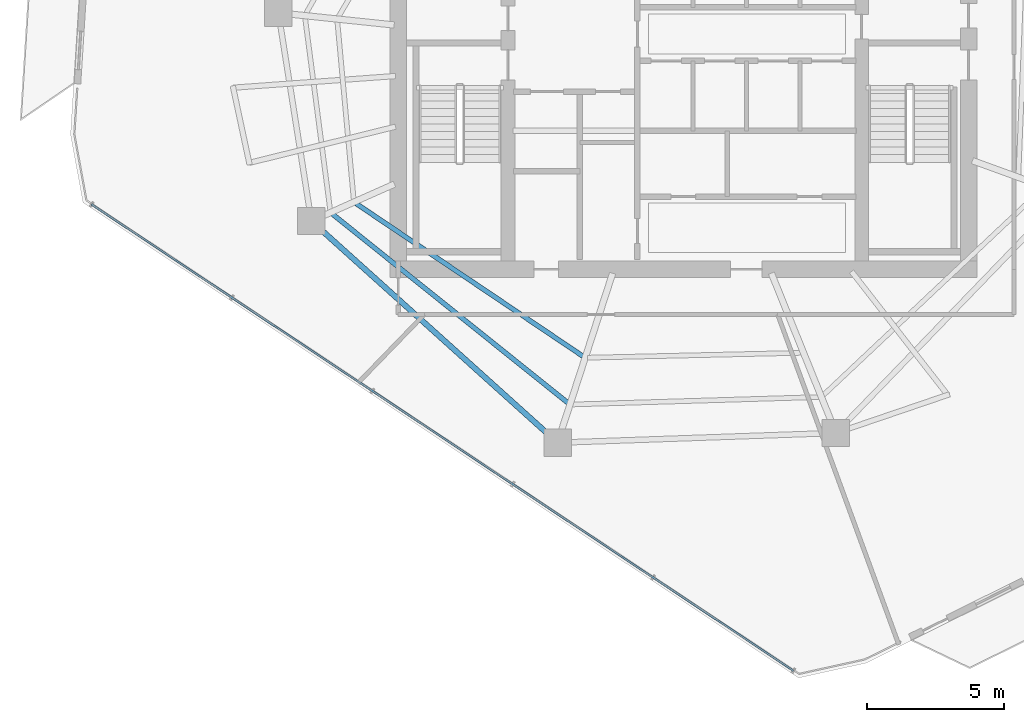
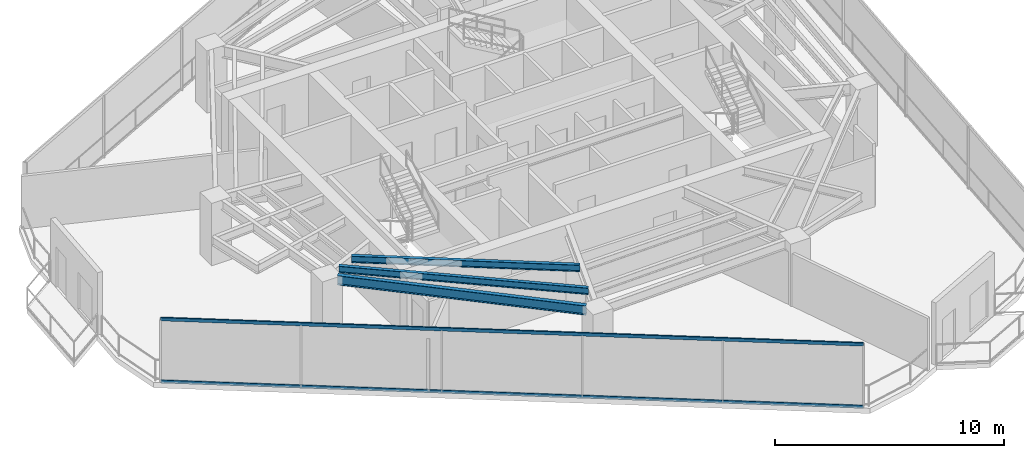
# One storey, part 3 of 21: 3 beams, 2 members, 1 element without a shape of its own.
"""IFC4 building model written with IfcOpenShell, lengths in metres."""

import ifcopenshell
import ifcopenshell.guid

model = None  # the IFC model being written
_history = None  # IfcOwnerHistory: only IFC2X3 demands one
_inside = {}  # id of a spatial element -> (the spatial element, [elements in it])
_under = {}  # id of a project, library or spatial element -> (it, [spatial elements below it])
_declared = {}  # id of a project -> (the project, [libraries it declares])
_typed = {}  # id of a type object -> (the type object, [elements of that type])
_made_of = {}  # id of a material, layer set ... -> (it, [elements and type objects made of it])


def new_model(schema):
    """Start an empty IFC model of exactly this schema.

    Asked for "IFC4X3", IfcOpenShell would pick the latest addendum, in which some entities
    have other attributes; the version numbers below select the first issue.
    IFC2X3 requires an IfcOwnerHistory on every rooted entity: one is made here for all.
    """
    global model, _history
    if schema == "IFC4X3":
        model = ifcopenshell.file(schema_version=(4, 3, 0, 0))
    else:
        model = ifcopenshell.file(schema=schema)
    _inside.clear()
    _under.clear()
    _declared.clear()
    _typed.clear()
    _made_of.clear()
    _history = None
    if model.schema == "IFC2X3":
        org = make("IfcOrganization", Name="unknown")
        user = make(
            "IfcPersonAndOrganization",
            ThePerson=make("IfcPerson", FamilyName="unknown"),
            TheOrganization=org,
        )
        app = make(
            "IfcApplication",
            ApplicationDeveloper=org,
            Version="unknown",
            ApplicationFullName="unknown",
            ApplicationIdentifier="unknown",
        )
        _history = make(
            "IfcOwnerHistory",
            OwningUser=user,
            OwningApplication=app,
            ChangeAction="ADDED",
            CreationDate=0,
        )
    return model


def make(cls, **values):
    """One entity of the class cls with the attributes given. An attribute that is None is left unset."""
    return model.create_entity(
        cls, **{name: value for name, value in values.items() if value is not None}
    )


def rooted(cls, **values):
    """An entity with a GlobalId (a new one), such as an element, a storey or a relation."""
    return make(cls, GlobalId=ifcopenshell.guid.new(), OwnerHistory=_history, **values)


def si_unit(unit_type, name, prefix=None):
    """IfcSIUnit, for example si_unit("LENGTHUNIT", "METRE", prefix="MILLI")."""
    return make("IfcSIUnit", UnitType=unit_type, Prefix=prefix, Name=name)


def assignment(units):
    """IfcUnitAssignment: the units of a project."""
    return None if units is None else make("IfcUnitAssignment", Units=units)


def point(xyz):
    """IfcCartesianPoint."""
    return None if xyz is None else make("IfcCartesianPoint", Coordinates=xyz)


def direction(xyz):
    """IfcDirection."""
    return None if xyz is None else make("IfcDirection", DirectionRatios=xyz)


def frame(location, z_axis=None, x_axis=None):
    """IfcAxis2Placement3D, a coordinate frame: its origin and axes. An axis left out is left unset."""
    return make(
        "IfcAxis2Placement3D",
        Location=point(location),
        Axis=direction(z_axis),
        RefDirection=direction(x_axis),
    )


def frame_2d(location, x_axis=None):
    """IfcAxis2Placement2D, a coordinate frame in the plane: its origin and x axis."""
    return make(
        "IfcAxis2Placement2D", Location=point(location), RefDirection=direction(x_axis)
    )


def origin():
    """The frame at (0, 0, 0) with its axes left unset."""
    return frame((0.0, 0.0, 0.0))


def origin_2d():
    """The frame at (0, 0) in the plane with its x axis left unset."""
    return frame_2d((0.0, 0.0))


def place(relative_to, where):
    """IfcLocalPlacement: puts the frame where relative to a parent placement (None: the world)."""
    return make(
        "IfcLocalPlacement", PlacementRelTo=relative_to, RelativePlacement=where
    )


def context(
    kind, dimensions, precision=None, world=None, true_north=None, identifier=None
):
    """IfcGeometricRepresentationContext, for example the 3D "Model" context."""
    return make(
        "IfcGeometricRepresentationContext",
        ContextIdentifier=identifier,
        ContextType=kind,
        CoordinateSpaceDimension=dimensions,
        Precision=precision,
        WorldCoordinateSystem=world,
        TrueNorth=true_north,
    )


def subcontext(parent, identifier, kind, view, scale=None):
    """IfcGeometricRepresentationSubContext, for example "Body" below "Model"."""
    return make(
        "IfcGeometricRepresentationSubContext",
        ContextIdentifier=identifier,
        ContextType=kind,
        ParentContext=parent,
        TargetScale=scale,
        TargetView=view,
    )


def project(units=None, contexts=None):
    """IfcProject with its units and contexts."""
    return rooted(
        "IfcProject",
        Name="project",
        RepresentationContexts=contexts,
        UnitsInContext=assignment(units),
    )


def spatial(cls, under=None, at=None, **own):
    """A site, building, storey or space (cls), placed at a placement, below another one or the project."""
    s = rooted(cls, ObjectPlacement=at, **own)
    if under is not None:
        _under.setdefault(under.id(), (under, []))[1].append(s)
    return s


def profile(cls, at=None, kind="AREA", **sizes):
    """A parametric profile (cls). Its sizes go by their IFC names, for example OverallWidth=200.0."""
    return make(cls, ProfileType=kind, Position=at, **sizes)


def hollow_rectangle(**sizes):
    """IfcRectangleHollowProfileDef."""
    return profile("IfcRectangleHollowProfileDef", **sizes)


def i_section(**sizes):
    """IfcIShapeProfileDef."""
    return profile("IfcIShapeProfileDef", **sizes)


def extrude(swept, where, along, depth):
    """IfcExtrudedAreaSolid: the profile swept, set in the frame where, extruded along a direction by depth."""
    return make(
        "IfcExtrudedAreaSolid",
        SweptArea=swept,
        Position=where,
        ExtrudedDirection=direction(along),
        Depth=depth,
    )


def shape(context_of_items, identifier, shape_type, items):
    """IfcShapeRepresentation: the items that make up one representation, for example the "Body"."""
    return make(
        "IfcShapeRepresentation",
        ContextOfItems=context_of_items,
        RepresentationIdentifier=identifier,
        RepresentationType=shape_type,
        Items=items,
    )


def material(Name=None, Category=None):
    """IfcMaterial."""
    return make("IfcMaterial", Name=Name, Category=Category)


def layer(
    of_material, thickness, ventilated=None, Name=None, Category=None, Priority=None
):
    """IfcMaterialLayer: one layer of a wall or slab, of a material (None: an air gap)."""
    return make(
        "IfcMaterialLayer",
        Material=of_material,
        LayerThickness=thickness,
        IsVentilated=ventilated,
        Name=Name,
        Category=Category,
        Priority=Priority,
    )


def layer_set(layers, Name=None):
    """IfcMaterialLayerSet."""
    return make("IfcMaterialLayerSet", MaterialLayers=layers, LayerSetName=Name)


def material_profile(
    of_material, cross_section, Name=None, Category=None, Priority=None
):
    """IfcMaterialProfile: a cross section and its material."""
    return make(
        "IfcMaterialProfile",
        Name=Name,
        Material=of_material,
        Profile=cross_section,
        Priority=Priority,
        Category=Category,
    )


def profile_set(profiles, Name=None, composite=None):
    """IfcMaterialProfileSet."""
    return make(
        "IfcMaterialProfileSet",
        Name=Name,
        MaterialProfiles=profiles,
        CompositeProfile=composite,
    )


def made_of(thing, what):
    """Note that an element or type object is made of a material, layer set ...; save() writes the relation."""
    if what is not None:
        _made_of.setdefault(what.id(), (what, []))[1].append(thing)
    return thing


def type_object(cls, material=None, **own):
    """A type object (cls), such as IfcWallType, which elements share."""
    return made_of(rooted(cls, **own), material)


def element(
    cls,
    number,
    at=None,
    inside=None,
    cuts=None,
    type_object=None,
    material=None,
    context=None,
    identifier="Body",
    shape_type=None,
    held_by="IfcProductDefinitionShape",
    body=None,
    shapes=None,
    **own,
):
    """One element of the class cls, such as IfcWall. Its Tag is "e" and its number.

    at: its placement. inside: the storey or other place that contains it. cuts: it is an
    opening in that element (IfcRelVoidsElement). A single representation is given by context,
    identifier, shape_type and body (its items); several are given by shapes. held_by: the class
    of the entity that holds the representations. save() writes the other relations.
    """
    e = rooted(cls, Tag="e%d" % number, ObjectPlacement=at, **own)
    if body is not None:
        shapes = [shape(context, identifier, shape_type, body)]
    if shapes is not None:
        e.Representation = make(held_by, Representations=shapes)
    if inside is not None:
        _inside.setdefault(inside.id(), (inside, []))[1].append(e)
    if cuts is not None:
        rooted(
            "IfcRelVoidsElement", RelatingBuildingElement=cuts, RelatedOpeningElement=e
        )
    if type_object is not None:
        _typed.setdefault(type_object.id(), (type_object, []))[1].append(e)
    return made_of(e, material)


def aggregate(whole, parts):
    """IfcRelAggregates: a whole, such as a stair, and the parts it consists of."""
    return rooted("IfcRelAggregates", RelatingObject=whole, RelatedObjects=parts)


def save(model, path):
    """Write the relations noted so far, then the file.

    IfcRelAggregates (storeys below a building ...), IfcRelContainedInSpatialStructure (elements
    in a storey), IfcRelDefinesByType, IfcRelAssociatesMaterial and IfcRelDeclares: one each for
    every whole, place, type object, material and project.
    """
    for whole, parts in _under.values():
        aggregate(whole, parts)
    for where, things in _inside.values():
        rooted(
            "IfcRelContainedInSpatialStructure",
            RelatedElements=things,
            RelatingStructure=where,
        )
    for kind, things in _typed.values():
        rooted("IfcRelDefinesByType", RelatedObjects=things, RelatingType=kind)
    for what, things in _made_of.values():
        rooted("IfcRelAssociatesMaterial", RelatedObjects=things, RelatingMaterial=what)
    for by, libraries in _declared.values():
        rooted("IfcRelDeclares", RelatingContext=by, RelatedDefinitions=libraries)
    model.write(path)


model = new_model("IFC4")

# Units and contexts
model_context = context("Model", 3, precision=1e-05, world=origin(), true_north=direction((0.0, 1.0)))
body_context = subcontext(model_context, "Body", "Model", "MODEL_VIEW")
ifc_project = project(units=[si_unit("LENGTHUNIT", "METRE"), si_unit("AREAUNIT", "SQUARE_METRE"), si_unit("VOLUMEUNIT", "CUBIC_METRE"), si_unit("PLANEANGLEUNIT", "RADIAN"), si_unit("MASSUNIT", "GRAM", prefix="KILO")], contexts=[model_context])

# Site, building, storey
site_placement = place(None, origin())
site = spatial("IfcSite", under=ifc_project, at=site_placement, CompositionType="ELEMENT")
building_placement = place(site_placement, origin())
building = spatial("IfcBuilding", under=site, at=building_placement, Name="Qarnah Convention Tower", CompositionType="ELEMENT")
storey_placement = place(building_placement, frame((0.0, 0.0, 165.300048828125)))
storey = spatial("IfcBuildingStorey", under=building, at=storey_placement, Name="L44", CompositionType="ELEMENT", Elevation=165.300048828125)

# Beams
ifc_material_1 = material(Name="Structural steel S355JR", Category="steel")
ifc_material_profile_1 = material_profile(ifc_material_1, i_section(OverallWidth=0.172119140625, OverallDepth=0.35595703125, WebThickness=0.007080078125, FlangeThickness=0.011962890625, at=origin_2d()), Name="W360X51")
ifc_profile_set_1 = profile_set([ifc_material_profile_1], Name="Structural steel S355JR")
beam_type_1 = type_object("IfcBeamType", Name="BM-JST-W360", PredefinedType="JOIST", material=ifc_profile_set_1)
beam_1_placement = place(storey_placement, frame((24.40087890625, 20.614013671875, 3.141845703125), z_axis=(0.780148110393, -0.625594857596, 0.0), x_axis=(0.625594857596, 0.780148110393, 0.0)))
element("IfcBeam", 1, at=beam_1_placement, inside=storey, type_object=beam_type_1, Name="L44 joist BM-L44-SJST-06", PredefinedType="JOIST", context=body_context, shape_type="SweptSolid", body=[
    extrude(i_section(OverallWidth=0.172119140625, OverallDepth=0.35595703125, WebThickness=0.007080078125, FlangeThickness=0.011962890625, at=origin_2d()), origin(), (0.0, 0.0, 1.0), 11.013427734375),
])
beam_2_placement = place(storey_placement, frame((25.260009765625, 21.0009765625, 3.141845703125), z_axis=(0.82954788589, -0.558435587168, 0.0), x_axis=(0.558435587168, 0.82954788589, 0.0)))
element("IfcBeam", 2, at=beam_2_placement, inside=storey, type_object=beam_type_1, Name="L44 joist BM-L44-IJST-06", PredefinedType="JOIST", context=body_context, shape_type="SweptSolid", body=[
    extrude(i_section(OverallWidth=0.172119140625, OverallDepth=0.35595703125, WebThickness=0.007080078125, FlangeThickness=0.011962890625, at=origin_2d()), origin(), (0.0, 0.0, 1.0), 9.98486328125),
])
ifc_material_profile_2 = material_profile(ifc_material_1, i_section(OverallWidth=0.199951171875, OverallDepth=0.5, WebThickness=0.010009765625, FlangeThickness=0.01611328125, at=origin_2d()), Name="IPE500")
ifc_profile_set_2 = profile_set([ifc_material_profile_2], Name="Structural steel S355JR")
beam_type_2 = type_object("IfcBeamType", Name="BM-SPN-IPE500", PredefinedType="SPANDREL", material=ifc_profile_set_2)
beam_3_placement = place(storey_placement, frame((23.998046875, 20.031982421875, 3.070068359375), z_axis=(0.743165079224, -0.66910811161, 0.0), x_axis=(0.66910811161, 0.743165079224, 0.0)))
element("IfcBeam", 3, at=beam_3_placement, inside=storey, type_object=beam_type_2, Name="L44 spandrel BM-L44-SPN-06", PredefinedType="SPANDREL", context=body_context, shape_type="SweptSolid", body=[
    extrude(i_section(OverallWidth=0.199951171875, OverallDepth=0.5, WebThickness=0.010009765625, FlangeThickness=0.01611328125, at=origin_2d()), origin(), (0.0, 0.0, 1.0), 11.099853515625),
])

# Curtain wall, members
ifc_material_2 = material(Name="Tempered Low-E dark glass", Category="glass")
ifc_layer = layer(ifc_material_2, 0.172119140625)
ifc_layer_set = layer_set([ifc_layer], Name="Tempered Low-E dark glass")
curtain_wall_type = type_object("IfcCurtainWallType", Name="CWS-03", PredefinedType="NOTDEFINED", material=ifc_layer_set)
curtain_wall_placement = place(storey_placement, origin())
curtain_wall = element("IfcCurtainWall", 4, at=curtain_wall_placement, inside=storey, type_object=curtain_wall_type, Name="L44 unitised curtain wall CW-L44-F1", PredefinedType="NOTDEFINED")
ifc_material_3 = material(Name="Black anodised aluminium", Category="aluminium")
ifc_material_profile_3 = material_profile(ifc_material_3, hollow_rectangle(XDim=0.070068359375, YDim=0.169921875, WallThickness=0.0048828125, at=origin_2d()), Name="TRN-70X170")
ifc_profile_set_3 = profile_set([ifc_material_profile_3], Name="Black anodised aluminium")
member_type = type_object("IfcMemberType", Name="TRN-T3", PredefinedType="USERDEFINED", material=ifc_profile_set_3)
member_1_placement = place(storey_placement, frame((41.2119140625, 3.9619140625, 0.0), z_axis=(-0.832918388039, 0.553395842835, 0.0), x_axis=(-0.553395842835, -0.832918388039, 0.0)))
member_1 = element("IfcMember", 5, at=member_1_placement, type_object=member_type, Name="CW-L44-F1 transom 1", ObjectType="TRANSOM", PredefinedType="USERDEFINED", context=body_context, shape_type="SweptSolid", body=[
    extrude(hollow_rectangle(XDim=0.070068359375, YDim=0.169921875, WallThickness=0.0048828125, at=origin_2d()), origin(), (0.0, 0.0, 1.0), 30.726806640625),
])
member_2_placement = place(storey_placement, frame((41.2119140625, 3.9619140625, 3.320068359375), z_axis=(-0.832918388039, 0.553395842835, 0.0), x_axis=(-0.553395842835, -0.832918388039, 0.0)))
member_2 = element("IfcMember", 6, at=member_2_placement, type_object=member_type, Name="CW-L44-F1 transom 2", ObjectType="TRANSOM", PredefinedType="USERDEFINED", context=body_context, shape_type="SweptSolid", body=[
    extrude(hollow_rectangle(XDim=0.070068359375, YDim=0.169921875, WallThickness=0.0048828125, at=origin_2d()), origin(), (0.0, 0.0, 1.0), 30.726806640625),
])
aggregate(curtain_wall, [member_1, member_2])

save(model, "model.ifc")
